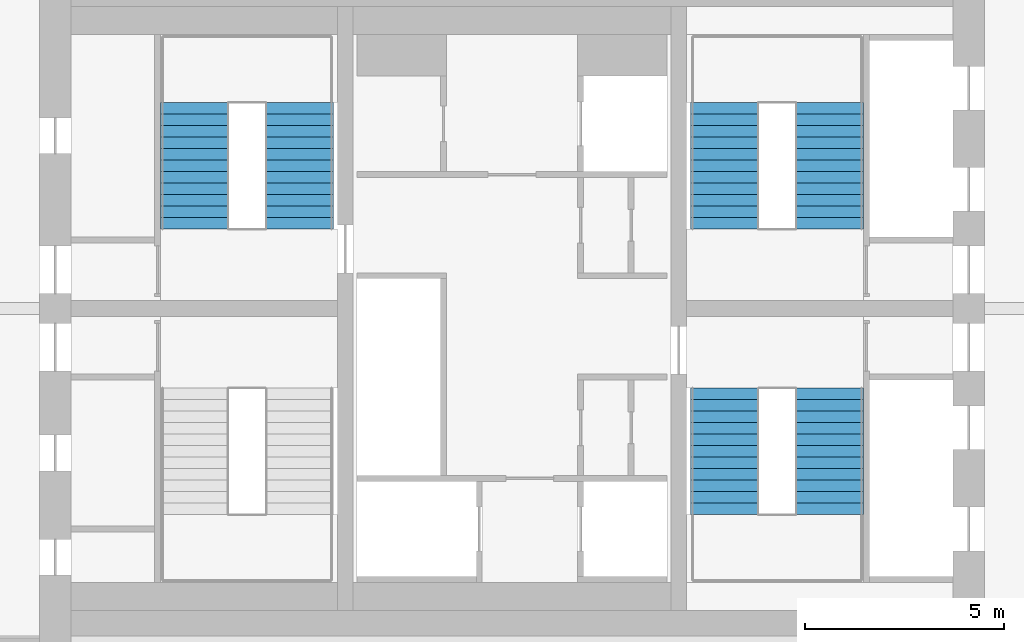
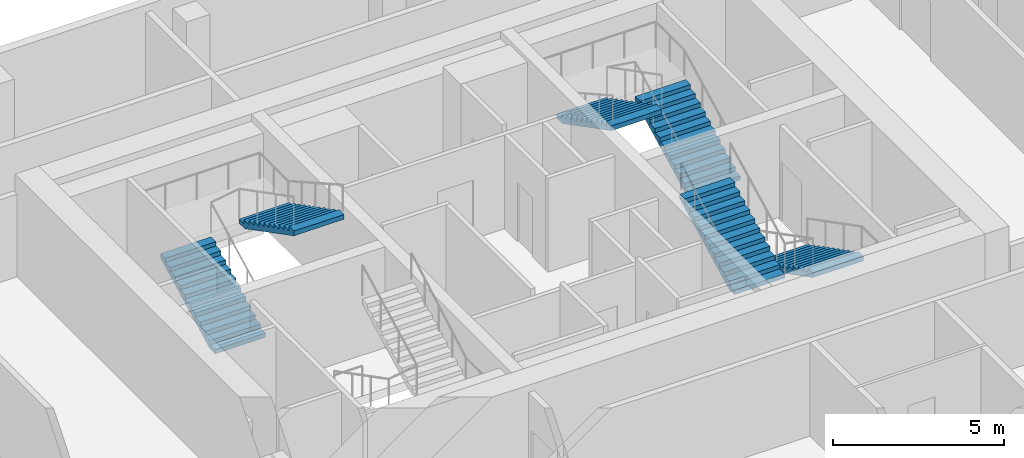
# One storey, part 21 of 22: 6 stair flights, 3 elements without a shape of their own.
"""IFC4 building model written with IfcOpenShell, lengths in metres."""

from ifc_helpers import new_model, si_unit, direction, frame, origin, place, context, subcontext, project, spatial, polyline, outline, extrude, material, type_object, element, aggregate, save


model = new_model("IFC4")

# Units and contexts
model_context = context("Model", 3, precision=1e-05, world=origin(), true_north=direction((0.0, 1.0)))
body_context = subcontext(model_context, "Body", "Model", "MODEL_VIEW")
ifc_project = project(units=[si_unit("LENGTHUNIT", "METRE"), si_unit("AREAUNIT", "SQUARE_METRE"), si_unit("VOLUMEUNIT", "CUBIC_METRE"), si_unit("PLANEANGLEUNIT", "RADIAN"), si_unit("MASSUNIT", "GRAM", prefix="KILO")], contexts=[model_context])

# Site, building, storey
site_placement = place(None, origin())
site = spatial("IfcSite", under=ifc_project, at=site_placement, CompositionType="ELEMENT")
building_placement = place(site_placement, origin())
building = spatial("IfcBuilding", under=site, at=building_placement, Name="Marenta Gate Hotel Tower", CompositionType="ELEMENT")
storey_placement = place(building_placement, frame((0.0, 0.0, 223.699951171875)))
storey = spatial("IfcBuildingStorey", under=building, at=storey_placement, Name="L52", CompositionType="ELEMENT", Elevation=223.699951171875)

# Stair, stair flights
ifc_material_1 = material(Name="Concrete C40", Category="concrete")
stair_type = type_object("IfcStairType", Name="Core exit stair 1700 wide", PredefinedType="HALF_TURN_STAIR", material=ifc_material_1)
stair_1_placement = place(storey_placement, origin())
stair_1 = element("IfcStair", 1, at=stair_1_placement, inside=storey, type_object=stair_type, Name="Exit stair 2", PredefinedType="HALF_TURN_STAIR")
ifc_material_2 = material(Name="Concrete C40", Category="concrete")
stair_flight_type = type_object("IfcStairFlightType", Name="Core stair flight 1700 riser 150.0 going 290", PredefinedType="STRAIGHT", material=ifc_material_2)
stair_flight_1_placement = place(storey_placement, frame((-8.0, 10.39990234375, 0.0), z_axis=(0.0, 0.0, 1.0), x_axis=(0.0, 1.0, 0.0)))
stair_flight_1 = element("IfcStairFlight", 2, at=stair_flight_1_placement, type_object=stair_flight_type, Name="ST2 flight 1", NumberOfRisers=12, NumberOfTreads=11, PredefinedType="STRAIGHT", RiserHeight=0.15, TreadLength=0.29, context=body_context, shape_type="SweptSolid", body=[
    extrude(outline(polyline([(0.0, 0.0), (0.0, 0.14990234375), (0.2900390625, 0.14990234375), (0.2900390625, 0.300048828125), (0.580078125, 0.300048828125), (0.580078125, 0.449951171875), (0.8701171875, 0.449951171875), (0.8701171875, 0.60009765625), (1.159912109375, 0.60009765625), (1.159912109375, 0.75), (1.449951171875, 0.75), (1.449951171875, 0.89990234375), (1.739990234375, 0.89990234375), (1.739990234375, 1.050048828125), (2.030029296875, 1.050048828125), (2.030029296875, 1.199951171875), (2.320068359375, 1.199951171875), (2.320068359375, 1.35009765625), (2.610107421875, 1.35009765625), (2.610107421875, 1.5), (2.89990234375, 1.5), (2.89990234375, 1.64990234375), (3.18994140625, 1.64990234375), (3.18994140625, 1.800048828125), (3.18994140625, 1.481201171875), (0.326171875, 0.0), (0.0, 0.0)])), frame((0.0, 0.85009765625, 0.0), z_axis=(0.0, -1.0, 0.0), x_axis=(1.0, 0.0, 0.0)), (0.0, 0.0, 1.0), 1.699951171875),
])
stair_flight_2_placement = place(storey_placement, frame((-5.35009765625, 13.590087890625, 1.800048828125), z_axis=(0.0, 0.0, 1.0), x_axis=(0.0, -1.0, 0.0)))
stair_flight_2 = element("IfcStairFlight", 3, at=stair_flight_2_placement, type_object=stair_flight_type, Name="ST2 flight 2", NumberOfRisers=12, NumberOfTreads=11, PredefinedType="STRAIGHT", RiserHeight=0.15, TreadLength=0.29, context=body_context, shape_type="SweptSolid", body=[
    extrude(outline(polyline([(0.0, 0.0), (0.0, 0.14990234375), (0.2900390625, 0.14990234375), (0.2900390625, 0.300048828125), (0.580078125, 0.300048828125), (0.580078125, 0.449951171875), (0.8701171875, 0.449951171875), (0.8701171875, 0.60009765625), (1.159912109375, 0.60009765625), (1.159912109375, 0.75), (1.449951171875, 0.75), (1.449951171875, 0.89990234375), (1.739990234375, 0.89990234375), (1.739990234375, 1.050048828125), (2.030029296875, 1.050048828125), (2.030029296875, 1.199951171875), (2.320068359375, 1.199951171875), (2.320068359375, 1.35009765625), (2.610107421875, 1.35009765625), (2.610107421875, 1.5), (2.89990234375, 1.5), (2.89990234375, 1.64990234375), (3.18994140625, 1.64990234375), (3.18994140625, 1.800048828125), (3.18994140625, 1.481201171875), (0.326171875, 0.0), (0.0, 0.0)])), frame((0.0, 0.85009765625, 0.0), z_axis=(0.0, -1.0, 0.0), x_axis=(1.0, 0.0, 0.0)), (0.0, 0.0, 1.0), 1.699951171875),
])
aggregate(stair_1, [stair_flight_1, stair_flight_2])

stair_2_placement = place(storey_placement, origin())
stair_2 = element("IfcStair", 4, at=stair_2_placement, inside=storey, type_object=stair_type, Name="Exit stair 3", PredefinedType="HALF_TURN_STAIR")
stair_flight_3_placement = place(storey_placement, frame((8.0, 6.39990234375, 0.0), z_axis=(0.0, 0.0, 1.0), x_axis=(0.0, -1.0, 0.0)))
stair_flight_3 = element("IfcStairFlight", 5, at=stair_flight_3_placement, type_object=stair_flight_type, Name="ST3 flight 1", NumberOfRisers=12, NumberOfTreads=11, PredefinedType="STRAIGHT", RiserHeight=0.15, TreadLength=0.29, context=body_context, shape_type="SweptSolid", body=[
    extrude(outline(polyline([(0.0, 0.0), (0.0, 0.14990234375), (0.2900390625, 0.14990234375), (0.2900390625, 0.300048828125), (0.580078125, 0.300048828125), (0.580078125, 0.449951171875), (0.8701171875, 0.449951171875), (0.8701171875, 0.60009765625), (1.159912109375, 0.60009765625), (1.159912109375, 0.75), (1.449951171875, 0.75), (1.449951171875, 0.89990234375), (1.739990234375, 0.89990234375), (1.739990234375, 1.050048828125), (2.030029296875, 1.050048828125), (2.030029296875, 1.199951171875), (2.320068359375, 1.199951171875), (2.320068359375, 1.35009765625), (2.610107421875, 1.35009765625), (2.610107421875, 1.5), (2.89990234375, 1.5), (2.89990234375, 1.64990234375), (3.18994140625, 1.64990234375), (3.18994140625, 1.800048828125), (3.18994140625, 1.481201171875), (0.326171875, 0.0), (0.0, 0.0)])), frame((0.0, 0.85009765625, 0.0), z_axis=(0.0, -1.0, 0.0), x_axis=(1.0, 0.0, 0.0)), (0.0, 0.0, 1.0), 1.699951171875),
])
stair_flight_4_placement = place(storey_placement, frame((5.35009765625, 3.2099609375, 1.800048828125), z_axis=(0.0, 0.0, 1.0), x_axis=(0.0, 1.0, 0.0)))
stair_flight_4 = element("IfcStairFlight", 6, at=stair_flight_4_placement, type_object=stair_flight_type, Name="ST3 flight 2", NumberOfRisers=12, NumberOfTreads=11, PredefinedType="STRAIGHT", RiserHeight=0.15, TreadLength=0.29, context=body_context, shape_type="SweptSolid", body=[
    extrude(outline(polyline([(0.0, 0.0), (0.0, 0.14990234375), (0.2900390625, 0.14990234375), (0.2900390625, 0.300048828125), (0.580078125, 0.300048828125), (0.580078125, 0.449951171875), (0.8701171875, 0.449951171875), (0.8701171875, 0.60009765625), (1.159912109375, 0.60009765625), (1.159912109375, 0.75), (1.449951171875, 0.75), (1.449951171875, 0.89990234375), (1.739990234375, 0.89990234375), (1.739990234375, 1.050048828125), (2.030029296875, 1.050048828125), (2.030029296875, 1.199951171875), (2.320068359375, 1.199951171875), (2.320068359375, 1.35009765625), (2.610107421875, 1.35009765625), (2.610107421875, 1.5), (2.89990234375, 1.5), (2.89990234375, 1.64990234375), (3.18994140625, 1.64990234375), (3.18994140625, 1.800048828125), (3.18994140625, 1.481201171875), (0.326171875, 0.0), (0.0, 0.0)])), frame((0.0, 0.85009765625, 0.0), z_axis=(0.0, -1.0, 0.0), x_axis=(1.0, 0.0, 0.0)), (0.0, 0.0, 1.0), 1.699951171875),
])
aggregate(stair_2, [stair_flight_3, stair_flight_4])

stair_3_placement = place(storey_placement, origin())
stair_3 = element("IfcStair", 7, at=stair_3_placement, inside=storey, type_object=stair_type, Name="Exit stair 4", PredefinedType="HALF_TURN_STAIR")
stair_flight_5_placement = place(storey_placement, frame((8.0, 10.39990234375, 0.0), z_axis=(0.0, 0.0, 1.0), x_axis=(0.0, 1.0, 0.0)))
stair_flight_5 = element("IfcStairFlight", 8, at=stair_flight_5_placement, type_object=stair_flight_type, Name="ST4 flight 1", NumberOfRisers=12, NumberOfTreads=11, PredefinedType="STRAIGHT", RiserHeight=0.15, TreadLength=0.29, context=body_context, shape_type="SweptSolid", body=[
    extrude(outline(polyline([(0.0, 0.0), (0.0, 0.14990234375), (0.2900390625, 0.14990234375), (0.2900390625, 0.300048828125), (0.580078125, 0.300048828125), (0.580078125, 0.449951171875), (0.8701171875, 0.449951171875), (0.8701171875, 0.60009765625), (1.159912109375, 0.60009765625), (1.159912109375, 0.75), (1.449951171875, 0.75), (1.449951171875, 0.89990234375), (1.739990234375, 0.89990234375), (1.739990234375, 1.050048828125), (2.030029296875, 1.050048828125), (2.030029296875, 1.199951171875), (2.320068359375, 1.199951171875), (2.320068359375, 1.35009765625), (2.610107421875, 1.35009765625), (2.610107421875, 1.5), (2.89990234375, 1.5), (2.89990234375, 1.64990234375), (3.18994140625, 1.64990234375), (3.18994140625, 1.800048828125), (3.18994140625, 1.481201171875), (0.326171875, 0.0), (0.0, 0.0)])), frame((0.0, 0.85009765625, 0.0), z_axis=(0.0, -1.0, 0.0), x_axis=(1.0, 0.0, 0.0)), (0.0, 0.0, 1.0), 1.699951171875),
])
stair_flight_6_placement = place(storey_placement, frame((5.35009765625, 13.590087890625, 1.800048828125), z_axis=(0.0, 0.0, 1.0), x_axis=(0.0, -1.0, 0.0)))
stair_flight_6 = element("IfcStairFlight", 9, at=stair_flight_6_placement, type_object=stair_flight_type, Name="ST4 flight 2", NumberOfRisers=12, NumberOfTreads=11, PredefinedType="STRAIGHT", RiserHeight=0.15, TreadLength=0.29, context=body_context, shape_type="SweptSolid", body=[
    extrude(outline(polyline([(0.0, 0.0), (0.0, 0.14990234375), (0.2900390625, 0.14990234375), (0.2900390625, 0.300048828125), (0.580078125, 0.300048828125), (0.580078125, 0.449951171875), (0.8701171875, 0.449951171875), (0.8701171875, 0.60009765625), (1.159912109375, 0.60009765625), (1.159912109375, 0.75), (1.449951171875, 0.75), (1.449951171875, 0.89990234375), (1.739990234375, 0.89990234375), (1.739990234375, 1.050048828125), (2.030029296875, 1.050048828125), (2.030029296875, 1.199951171875), (2.320068359375, 1.199951171875), (2.320068359375, 1.35009765625), (2.610107421875, 1.35009765625), (2.610107421875, 1.5), (2.89990234375, 1.5), (2.89990234375, 1.64990234375), (3.18994140625, 1.64990234375), (3.18994140625, 1.800048828125), (3.18994140625, 1.481201171875), (0.326171875, 0.0), (0.0, 0.0)])), frame((0.0, 0.85009765625, 0.0), z_axis=(0.0, -1.0, 0.0), x_axis=(1.0, 0.0, 0.0)), (0.0, 0.0, 1.0), 1.699951171875),
])
aggregate(stair_3, [stair_flight_5, stair_flight_6])

save(model, "model.ifc")
